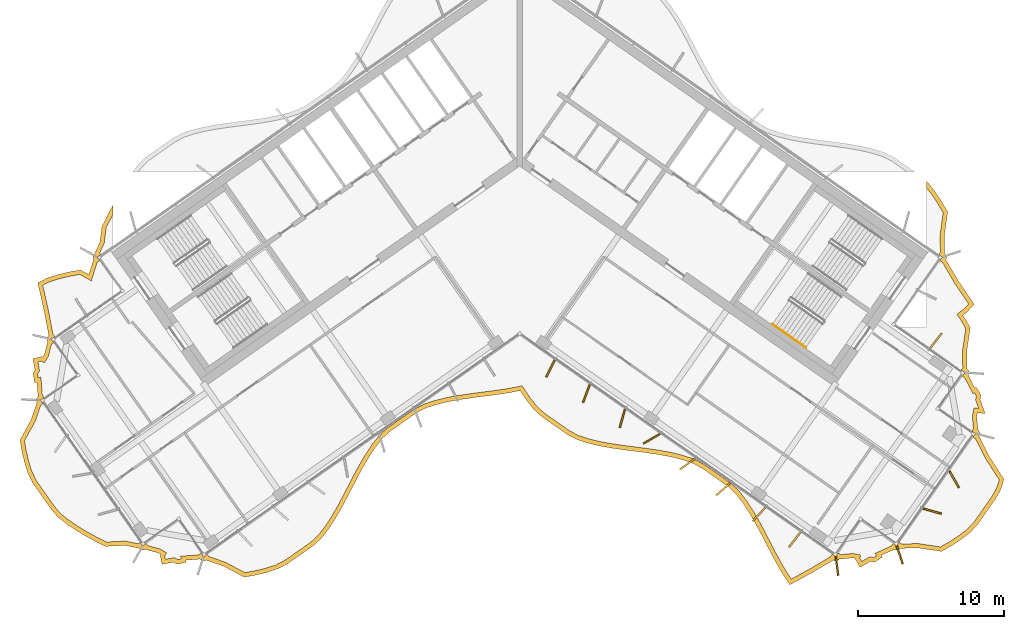
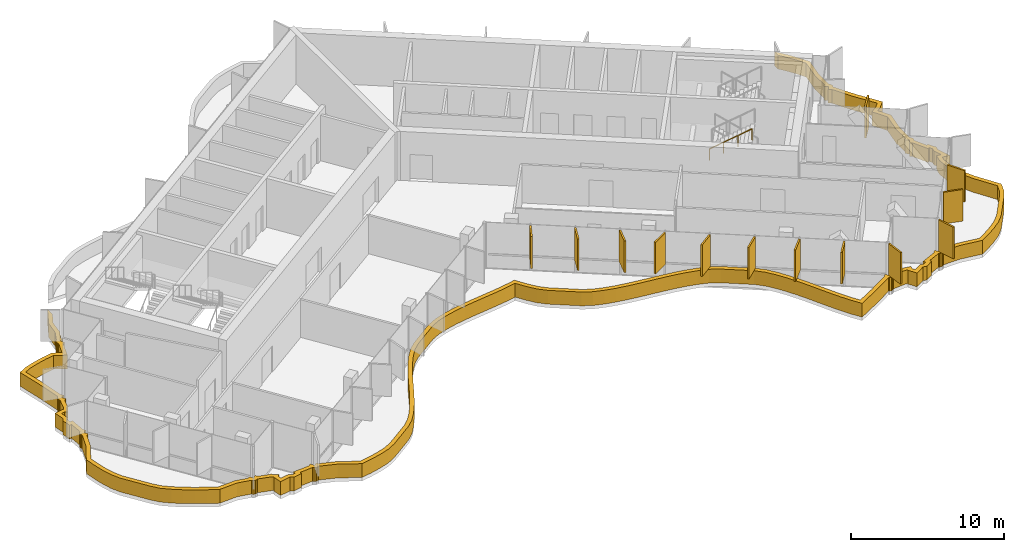
# One storey, part 16 of 18: 14 shading devices, 1 railing.
"""IFC4 building model written with IfcOpenShell, lengths in metres."""

import ifcopenshell
import ifcopenshell.guid

model = None  # the IFC model being written
_history = None  # IfcOwnerHistory: only IFC2X3 demands one
_inside = {}  # id of a spatial element -> (the spatial element, [elements in it])
_under = {}  # id of a project, library or spatial element -> (it, [spatial elements below it])
_declared = {}  # id of a project -> (the project, [libraries it declares])
_typed = {}  # id of a type object -> (the type object, [elements of that type])
_made_of = {}  # id of a material, layer set ... -> (it, [elements and type objects made of it])


def new_model(schema):
    """Start an empty IFC model of exactly this schema.

    Asked for "IFC4X3", IfcOpenShell would pick the latest addendum, in which some entities
    have other attributes; the version numbers below select the first issue.
    IFC2X3 requires an IfcOwnerHistory on every rooted entity: one is made here for all.
    """
    global model, _history
    if schema == "IFC4X3":
        model = ifcopenshell.file(schema_version=(4, 3, 0, 0))
    else:
        model = ifcopenshell.file(schema=schema)
    _inside.clear()
    _under.clear()
    _declared.clear()
    _typed.clear()
    _made_of.clear()
    _history = None
    if model.schema == "IFC2X3":
        org = make("IfcOrganization", Name="unknown")
        user = make(
            "IfcPersonAndOrganization",
            ThePerson=make("IfcPerson", FamilyName="unknown"),
            TheOrganization=org,
        )
        app = make(
            "IfcApplication",
            ApplicationDeveloper=org,
            Version="unknown",
            ApplicationFullName="unknown",
            ApplicationIdentifier="unknown",
        )
        _history = make(
            "IfcOwnerHistory",
            OwningUser=user,
            OwningApplication=app,
            ChangeAction="ADDED",
            CreationDate=0,
        )
    return model


def make(cls, **values):
    """One entity of the class cls with the attributes given. An attribute that is None is left unset."""
    return model.create_entity(
        cls, **{name: value for name, value in values.items() if value is not None}
    )


def rooted(cls, **values):
    """An entity with a GlobalId (a new one), such as an element, a storey or a relation."""
    return make(cls, GlobalId=ifcopenshell.guid.new(), OwnerHistory=_history, **values)


def si_unit(unit_type, name, prefix=None):
    """IfcSIUnit, for example si_unit("LENGTHUNIT", "METRE", prefix="MILLI")."""
    return make("IfcSIUnit", UnitType=unit_type, Prefix=prefix, Name=name)


def assignment(units):
    """IfcUnitAssignment: the units of a project."""
    return None if units is None else make("IfcUnitAssignment", Units=units)


def point(xyz):
    """IfcCartesianPoint."""
    return None if xyz is None else make("IfcCartesianPoint", Coordinates=xyz)


def direction(xyz):
    """IfcDirection."""
    return None if xyz is None else make("IfcDirection", DirectionRatios=xyz)


def frame(location, z_axis=None, x_axis=None):
    """IfcAxis2Placement3D, a coordinate frame: its origin and axes. An axis left out is left unset."""
    return make(
        "IfcAxis2Placement3D",
        Location=point(location),
        Axis=direction(z_axis),
        RefDirection=direction(x_axis),
    )


def frame_2d(location, x_axis=None):
    """IfcAxis2Placement2D, a coordinate frame in the plane: its origin and x axis."""
    return make(
        "IfcAxis2Placement2D", Location=point(location), RefDirection=direction(x_axis)
    )


def origin():
    """The frame at (0, 0, 0) with its axes left unset."""
    return frame((0.0, 0.0, 0.0))


def origin_2d():
    """The frame at (0, 0) in the plane with its x axis left unset."""
    return frame_2d((0.0, 0.0))


def place(relative_to, where):
    """IfcLocalPlacement: puts the frame where relative to a parent placement (None: the world)."""
    return make(
        "IfcLocalPlacement", PlacementRelTo=relative_to, RelativePlacement=where
    )


def context(
    kind, dimensions, precision=None, world=None, true_north=None, identifier=None
):
    """IfcGeometricRepresentationContext, for example the 3D "Model" context."""
    return make(
        "IfcGeometricRepresentationContext",
        ContextIdentifier=identifier,
        ContextType=kind,
        CoordinateSpaceDimension=dimensions,
        Precision=precision,
        WorldCoordinateSystem=world,
        TrueNorth=true_north,
    )


def subcontext(parent, identifier, kind, view, scale=None):
    """IfcGeometricRepresentationSubContext, for example "Body" below "Model"."""
    return make(
        "IfcGeometricRepresentationSubContext",
        ContextIdentifier=identifier,
        ContextType=kind,
        ParentContext=parent,
        TargetScale=scale,
        TargetView=view,
    )


def project(units=None, contexts=None):
    """IfcProject with its units and contexts."""
    return rooted(
        "IfcProject",
        Name="project",
        RepresentationContexts=contexts,
        UnitsInContext=assignment(units),
    )


def spatial(cls, under=None, at=None, **own):
    """A site, building, storey or space (cls), placed at a placement, below another one or the project."""
    s = rooted(cls, ObjectPlacement=at, **own)
    if under is not None:
        _under.setdefault(under.id(), (under, []))[1].append(s)
    return s


def polyline(points):
    """IfcPolyline through the points."""
    return make("IfcPolyline", Points=[point(p) for p in points])


def profile(cls, at=None, kind="AREA", **sizes):
    """A parametric profile (cls). Its sizes go by their IFC names, for example OverallWidth=200.0."""
    return make(cls, ProfileType=kind, Position=at, **sizes)


def rectangle(**sizes):
    """IfcRectangleProfileDef."""
    return profile("IfcRectangleProfileDef", **sizes)


def circle(**sizes):
    """IfcCircleProfileDef."""
    return profile("IfcCircleProfileDef", **sizes)


def outline(outer, holes=None, kind="AREA"):
    """IfcArbitraryClosedProfileDef: a profile drawn as a closed curve; with holes, ...WithVoids."""
    if holes is None:
        return make("IfcArbitraryClosedProfileDef", ProfileType=kind, OuterCurve=outer)
    return make(
        "IfcArbitraryProfileDefWithVoids",
        ProfileType=kind,
        OuterCurve=outer,
        InnerCurves=holes,
    )


def extrude(swept, where, along, depth):
    """IfcExtrudedAreaSolid: the profile swept, set in the frame where, extruded along a direction by depth."""
    return make(
        "IfcExtrudedAreaSolid",
        SweptArea=swept,
        Position=where,
        ExtrudedDirection=direction(along),
        Depth=depth,
    )


def shape(context_of_items, identifier, shape_type, items):
    """IfcShapeRepresentation: the items that make up one representation, for example the "Body"."""
    return make(
        "IfcShapeRepresentation",
        ContextOfItems=context_of_items,
        RepresentationIdentifier=identifier,
        RepresentationType=shape_type,
        Items=items,
    )


def material(Name=None, Category=None):
    """IfcMaterial."""
    return make("IfcMaterial", Name=Name, Category=Category)


def layer(
    of_material, thickness, ventilated=None, Name=None, Category=None, Priority=None
):
    """IfcMaterialLayer: one layer of a wall or slab, of a material (None: an air gap)."""
    return make(
        "IfcMaterialLayer",
        Material=of_material,
        LayerThickness=thickness,
        IsVentilated=ventilated,
        Name=Name,
        Category=Category,
        Priority=Priority,
    )


def layer_set(layers, Name=None):
    """IfcMaterialLayerSet."""
    return make("IfcMaterialLayerSet", MaterialLayers=layers, LayerSetName=Name)


def made_of(thing, what):
    """Note that an element or type object is made of a material, layer set ...; save() writes the relation."""
    if what is not None:
        _made_of.setdefault(what.id(), (what, []))[1].append(thing)
    return thing


def type_object(cls, material=None, **own):
    """A type object (cls), such as IfcWallType, which elements share."""
    return made_of(rooted(cls, **own), material)


def element(
    cls,
    number,
    at=None,
    inside=None,
    cuts=None,
    type_object=None,
    material=None,
    context=None,
    identifier="Body",
    shape_type=None,
    held_by="IfcProductDefinitionShape",
    body=None,
    shapes=None,
    **own,
):
    """One element of the class cls, such as IfcWall. Its Tag is "e" and its number.

    at: its placement. inside: the storey or other place that contains it. cuts: it is an
    opening in that element (IfcRelVoidsElement). A single representation is given by context,
    identifier, shape_type and body (its items); several are given by shapes. held_by: the class
    of the entity that holds the representations. save() writes the other relations.
    """
    e = rooted(cls, Tag="e%d" % number, ObjectPlacement=at, **own)
    if body is not None:
        shapes = [shape(context, identifier, shape_type, body)]
    if shapes is not None:
        e.Representation = make(held_by, Representations=shapes)
    if inside is not None:
        _inside.setdefault(inside.id(), (inside, []))[1].append(e)
    if cuts is not None:
        rooted(
            "IfcRelVoidsElement", RelatingBuildingElement=cuts, RelatedOpeningElement=e
        )
    if type_object is not None:
        _typed.setdefault(type_object.id(), (type_object, []))[1].append(e)
    return made_of(e, material)


def aggregate(whole, parts):
    """IfcRelAggregates: a whole, such as a stair, and the parts it consists of."""
    return rooted("IfcRelAggregates", RelatingObject=whole, RelatedObjects=parts)


def save(model, path):
    """Write the relations noted so far, then the file.

    IfcRelAggregates (storeys below a building ...), IfcRelContainedInSpatialStructure (elements
    in a storey), IfcRelDefinesByType, IfcRelAssociatesMaterial and IfcRelDeclares: one each for
    every whole, place, type object, material and project.
    """
    for whole, parts in _under.values():
        aggregate(whole, parts)
    for where, things in _inside.values():
        rooted(
            "IfcRelContainedInSpatialStructure",
            RelatedElements=things,
            RelatingStructure=where,
        )
    for kind, things in _typed.values():
        rooted("IfcRelDefinesByType", RelatedObjects=things, RelatingType=kind)
    for what, things in _made_of.values():
        rooted("IfcRelAssociatesMaterial", RelatedObjects=things, RelatingMaterial=what)
    for by, libraries in _declared.values():
        rooted("IfcRelDeclares", RelatingContext=by, RelatedDefinitions=libraries)
    model.write(path)


model = new_model("IFC4")

# Units and contexts
model_context = context("Model", 3, precision=1e-05, world=origin(), true_north=direction((0.0, 1.0)))
body_context = subcontext(model_context, "Body", "Model", "MODEL_VIEW")
ifc_project = project(units=[si_unit("LENGTHUNIT", "METRE"), si_unit("AREAUNIT", "SQUARE_METRE"), si_unit("VOLUMEUNIT", "CUBIC_METRE"), si_unit("PLANEANGLEUNIT", "RADIAN"), si_unit("MASSUNIT", "GRAM", prefix="KILO")], contexts=[model_context])

# Site, building, storey
site_placement = place(None, origin())
site = spatial("IfcSite", under=ifc_project, at=site_placement, CompositionType="ELEMENT")
building_placement = place(site_placement, origin())
building = spatial("IfcBuilding", under=site, at=building_placement, Name="Tel Ilan Convention Tower", CompositionType="ELEMENT")
storey_placement = place(building_placement, frame((0.0, 0.0, 268.300048828125)))
storey = spatial("IfcBuildingStorey", under=building, at=storey_placement, Name="L63", CompositionType="ELEMENT", Elevation=268.300048828125)

# Shading devices
ifc_material_1 = material(Name="Aluminium, bronze anodised", Category="aluminium")
ifc_layer_1 = layer(ifc_material_1, 0.1201171875)
ifc_layer_set_1 = layer_set([ifc_layer_1], Name="FIN BRONZE 1300x120")
shading_device_type_1 = type_object("IfcShadingDeviceType", Name="FIN BRONZE 1300x120", PredefinedType="USERDEFINED", material=ifc_layer_set_1)
for number, where, z_axis, x_axis, name in (
    (1, (2.11083984375, -15.09130859375, 1.099853515625), (0.0, 0.0, 1.0), (-0.448799180206, -0.893632640321, 0.0), "FIN"),
    (2, (4.572265625, -16.806884765625, 1.099853515625), (0.0, 0.0, 1.0), (-0.360177724803, -0.932883704733, 0.0), "FIN"),
    (3, (7.0361328125, -18.516845703125, 1.099853515625), (0.0, 0.0, 1.0), (-0.268172612768, -0.963370878614, 0.0), "FIN"),
    (4, (9.051513671875, -19.90576171875, 1.099853515625), (0.0, 0.0, 1.0), (-0.866025403784, -0.5, 0.0), "FIN"),
    (5, (11.49609375, -21.6396484375, 1.099853515625), (0.0, 0.0, 1.0), (-0.813552070258, -0.581492071294, 0.0), "FIN"),
    (6, (13.945556640625, -23.3701171875, 1.099853515625), (0.0, 0.0, 1.0), (-0.753435896329, -0.657521368568, 0.0), "FIN"),
    (7, (16.399658203125, -25.096435546875, 1.099853515625), (0.0, 0.0, 1.0), (-0.686241637865, -0.727373641577, 0.0), "FIN"),
    (8, (18.85791015625, -26.818115234375, 1.099853515625), (0.0, 0.0, 1.0), (-0.612600545196, -0.790392669516, 0.0), "FIN"),
    (9, (21.746826171875, -28.63525390625, 1.099853515625), (0.0, 0.0, 1.0), (0.125718016748, -0.992066016082, 0.0), "FIN"),
    (10, (26.048828125, -27.876220703125, 1.099853515625), (0.0, 0.0, 1.0), (0.314544756146, -0.949242643575, 0.0), "FIN"),
    (11, (28.2822265625, -24.8701171875, 1.099853515625), (0.0, 0.0, 1.0), (0.963370878614, -0.268172612768, 0.0), "FIN"),
    (12, (29.78271484375, -22.695068359375, 1.099853515625), (0.0, 0.0, 1.0), (0.5, -0.866025403784, 0.0), "FIN"),
    (13, (28.52197265625, -13.19384765625, 1.099853515625), (0.0, 0.0, 1.0), (0.612600545196, 0.790392669516, 0.0), "FIN"),
):
    element("IfcShadingDevice", number, at=place(storey_placement, frame(where, z_axis=z_axis, x_axis=x_axis)), inside=storey, type_object=shading_device_type_1, Name=name, ObjectType="FIN", PredefinedType="USERDEFINED", context=body_context, shape_type="SweptSolid", body=[
        extrude(rectangle(XDim=1.300048828125, YDim=0.1201171875, at=origin_2d()), origin(), (0.0, 0.0, 1.0), 2.52001953125),
    ])
ifc_material_2 = material(Name="Aluminium, bronze anodised", Category="aluminium")
ifc_layer_2 = layer(ifc_material_2, 0.300048828125)
ifc_layer_set_2 = layer_set([ifc_layer_2], Name="LOUVRE BAND 300x1100")
shading_device_type_2 = type_object("IfcShadingDeviceType", Name="LOUVRE BAND 300x1100", PredefinedType="USERDEFINED", material=ifc_layer_set_2)
shading_device_placement = place(storey_placement, origin())
element("IfcShadingDevice", 14, at=shading_device_placement, inside=storey, type_object=shading_device_type_2, Name="LOUVRE BAND 48.01", ObjectType="LOUVRE", PredefinedType="USERDEFINED", context=body_context, shape_type="SweptSolid", body=[
    extrude(outline(polyline([(-33.47021484375, -18.574462890625), (-34.248779296875, -19.995849609375), (-34.1181640625, -20.780517578125), (-33.940185546875, -21.531982421875), (-33.7158203125, -22.2509765625), (-33.401611328125, -22.906982421875), (-32.166748046875, -24.670654296875), (-31.707763671875, -25.22509765625), (-31.125732421875, -25.69384765625), (-30.49462890625, -26.1279296875), (-29.82373046875, -26.5341796875), (-29.12353515625, -26.920166015625), (-28.398193359375, -27.288330078125), (-27.05419921875, -27.223388671875), (-26.083984375, -27.420166015625), (-26.05517578125, -27.46337890625), (-25.957763671875, -27.5283203125), (-25.843017578125, -27.55126953125), (-25.728271484375, -27.5283203125), (-25.674072265625, -27.492431640625), (-24.7724609375, -27.73388671875), (-24.61669921875, -27.828857421875), (-24.64697265625, -27.878662109375), (-24.51416015625, -28.518310546875), (-23.728759765625, -28.3701171875), (-23.49462890625, -28.5126953125), (-22.855224609375, -28.3798828125), (-22.8828125, -28.233154296875), (-21.90576171875, -28.15673828125), (-21.876953125, -28.2001953125), (-21.779541015625, -28.26513671875), (-21.664794921875, -28.2880859375), (-21.550048828125, -28.26513671875), (-21.49609375, -28.22900390625), (-20.311279296875, -28.64013671875), (-18.883544921875, -29.3984375), (-18.087646484375, -29.25439453125), (-17.32080078125, -29.068359375), (-16.588623046875, -28.833251953125), (-15.931640625, -28.490478515625), (-14.12646484375, -27.226318359375), (-13.582763671875, -26.721923828125), (-13.1123046875, -26.113037109375), (-12.67626953125, -25.454833984375), (-12.267333984375, -24.7578125), (-11.877197265625, -24.0341796875), (-11.11572265625, -22.56005859375), (-10.724853515625, -21.83740234375), (-10.314697265625, -21.142333984375), (-9.877197265625, -20.486572265625), (-9.404541015625, -19.88037109375), (-8.85498046875, -19.384765625), (-7.049560546875, -18.12060546875), (-6.386474609375, -17.78662109375), (-5.65234375, -17.55419921875), (-4.884033203125, -17.370849609375), (-4.088623046875, -17.225830078125), (-3.274658203125, -17.107421875), (-1.629150390625, -16.895751953125), (-0.816650390625, -16.775146484375), (0.033203125, -16.6123046875), (0.470458984375, -17.269775390625), (0.94189453125, -17.877197265625), (1.488525390625, -18.377197265625), (3.2939453125, -19.641357421875), (3.953857421875, -19.979736328125), (4.68701171875, -20.213623046875), (5.45458984375, -20.398193359375), (6.24951171875, -20.5439453125), (7.06298828125, -20.6630859375), (8.70849609375, -20.87451171875), (9.521240234375, -20.99462890625), (10.314697265625, -21.142333984375), (11.080810546875, -21.329345703125), (11.811767578125, -21.56591796875), (12.4658203125, -21.912841796875), (14.27099609375, -23.177001953125), (14.811767578125, -23.685791015625), (15.28125, -24.29638671875), (15.71630859375, -24.95556640625), (16.12451171875, -25.653564453125), (16.51416015625, -26.3779296875), (17.27587890625, -27.851806640625), (17.6669921875, -28.573974609375), (18.077880859375, -29.26806640625), (18.5185546875, -29.91943359375), (19.969482421875, -29.128173828125), (21.49609375, -28.22900390625), (21.550048828125, -28.26513671875), (21.664794921875, -28.2880859375), (21.779541015625, -28.26513671875), (21.876953125, -28.2001953125), (21.90576171875, -28.15673828125), (22.8359375, -28.075439453125), (23.0146484375, -28.111328125), (23.003173828125, -28.168701171875), (23.3466796875, -28.72412109375), (24.0341796875, -28.316162109375), (24.302734375, -28.370361328125), (24.8583984375, -28.02685546875), (24.7822265625, -27.8984375), (25.674072265625, -27.492431640625), (25.728271484375, -27.5283203125), (25.843017578125, -27.55126953125), (25.957763671875, -27.5283203125), (26.05517578125, -27.46337890625), (26.083984375, -27.420166015625), (27.309326171875, -27.395263671875), (28.911376953125, -27.634521484375), (29.60546875, -27.237548828125), (30.25439453125, -26.809326171875), (30.856201171875, -26.347900390625), (31.3623046875, -25.819580078125), (32.6064453125, -24.042724609375), (32.962646484375, -23.409423828125), (33.192138671875, -22.687255859375), (32.166015625, -21.086181640625), (31.4755859375, -19.719970703125), (31.51171875, -19.666015625), (31.53466796875, -19.55126953125), (31.51171875, -19.4365234375), (31.44677734375, -19.339111328125), (31.4033203125, -19.31005859375), (31.322021484375, -18.380126953125), (31.373779296875, -18.12255859375), (31.9052734375, -18.189697265625), (31.555419921875, -17.218994140625), (31.616943359375, -16.9130859375), (31.2734375, -16.357666015625), (31.182861328125, -16.411376953125), (30.739013671875, -15.541748046875), (30.775146484375, -15.48779296875), (30.7978515625, -15.373046875), (30.775146484375, -15.25830078125), (30.7099609375, -15.160888671875), (30.666748046875, -15.1318359375), (30.642822265625, -13.902099609375), (30.879638671875, -12.2998046875), (30.48095703125, -11.605224609375), (30.3720703125, -11.4404296875), (30.66748046875, -11.218994140625), (31.151123046875, -10.703125), (30.056640625, -9.082275390625), (29.199951171875, -7.6279296875), (29.236083984375, -7.57373046875), (29.2587890625, -7.458984375), (29.236083984375, -7.34423828125), (29.1708984375, -7.246826171875), (29.127685546875, -7.218017578125), (29.10986328125, -5.95947265625), (29.331298828125, -4.35888671875), (28.922119140625, -3.659423828125), (28.48388671875, -3.001220703125), (28.0107421875, -2.392822265625), (27.874755859375, -2.269287109375), (27.874755859375, -2.70654296875), (28.240234375, -3.176513671875), (28.66748046875, -3.818359375), (29.02001953125, -4.420654296875), (28.809326171875, -5.941162109375), (28.829345703125, -7.12109375), (28.713134765625, -7.286865234375), (28.958740234375, -7.458984375), (28.787353515625, -7.705322265625), (28.97900390625, -7.83935546875), (29.802734375, -9.2421875), (30.7685546875, -10.672607421875), (30.466552734375, -10.99462890625), (29.9658203125, -11.369873046875), (30.225341796875, -11.7626953125), (30.567626953125, -12.35888671875), (30.34228515625, -13.88330078125), (30.367919921875, -15.03564453125), (30.252197265625, -15.200927734375), (30.497802734375, -15.373046875), (30.326416015625, -15.619140625), (30.510009765625, -15.747802734375), (31.060302734375, -16.832763671875), (31.173095703125, -16.765869140625), (31.29931640625, -16.97021484375), (31.244873046875, -17.241943359375), (31.45703125, -17.830810546875), (31.134765625, -17.7900390625), (31.019287109375, -18.364013671875), (31.097900390625, -19.223388671875), (30.98876953125, -19.379150390625), (31.234619140625, -19.55126953125), (31.063232421875, -19.79736328125), (31.246337890625, -19.92578125), (31.905029296875, -21.23486328125), (32.863525390625, -22.730712890625), (32.68603515625, -23.289306640625), (32.352294921875, -23.8828125), (31.129638671875, -25.628662109375), (30.6552734375, -26.123779296875), (30.080322265625, -26.56494140625), (29.4482421875, -26.98193359375), (28.852783203125, -27.322265625), (27.328125, -27.0947265625), (26.18017578125, -27.12109375), (26.01513671875, -27.005615234375), (25.843017578125, -27.251220703125), (25.5966796875, -27.079833984375), (25.472412109375, -27.257568359375), (24.35302734375, -27.762939453125), (24.4501953125, -27.926513671875), (24.245849609375, -28.052734375), (23.980224609375, -27.99951171875), (23.447021484375, -28.31591796875), (23.32080078125, -28.111572265625), (23.367919921875, -27.87646484375), (22.85205078125, -27.772705078125), (21.99267578125, -27.851318359375), (21.8369140625, -27.7421875), (21.664794921875, -27.988037109375), (21.418701171875, -27.816650390625), (21.284423828125, -28.008056640625), (19.82177734375, -28.866943359375), (18.6142578125, -29.525634765625), (18.331298828125, -29.107666015625), (17.92822265625, -28.426025390625), (17.541015625, -27.71142578125), (16.779541015625, -26.238037109375), (16.38623046875, -25.506591796875), (15.97119140625, -24.797119140625), (15.525634765625, -24.1220703125), (15.034912109375, -23.48388671875), (14.4609375, -22.94384765625), (12.62255859375, -21.656494140625), (11.92919921875, -21.288818359375), (11.16259765625, -21.04052734375), (10.3779296875, -20.848876953125), (9.570556640625, -20.69873046875), (8.749755859375, -20.577392578125), (7.103759765625, -20.36572265625), (6.29833984375, -20.248046875), (5.516845703125, -20.1044921875), (4.767822265625, -19.924560546875), (4.068603515625, -19.701416015625), (3.44921875, -19.3837890625), (1.6767578125, -18.142822265625), (1.163330078125, -17.673095703125), (0.714111328125, -17.094482421875), (0.165771484375, -16.269775390625), (-0.087890625, -16.33349609375), (-0.866455078125, -16.479248046875), (-1.67041015625, -16.5986328125), (-3.315185546875, -16.81005859375), (-4.136962890625, -16.9296875), (-4.945556640625, -17.0771484375), (-5.732666015625, -17.264892578125), (-6.5, -17.5078125), (-7.203857421875, -17.8623046875), (-9.042236328125, -19.1494140625), (-9.625, -19.67529296875), (-10.12060546875, -20.310791015625), (-10.56884765625, -20.982666015625), (-10.986083984375, -21.68994140625), (-11.380859375, -22.419677734375), (-12.142578125, -23.89404296875), (-12.529052734375, -24.61083984375), (-12.930908203125, -25.2958984375), (-13.356201171875, -25.938232421875), (-13.804931640625, -26.518798828125), (-14.315185546875, -26.992431640625), (-16.087890625, -28.233642578125), (-16.704833984375, -28.555419921875), (-17.402099609375, -28.779541015625), (-18.149658203125, -28.960693359375), (-18.83447265625, -29.084716796875), (-20.19140625, -28.3642578125), (-21.302978515625, -27.981689453125), (-21.418701171875, -27.816650390625), (-21.664794921875, -27.988037109375), (-21.8369140625, -27.7421875), (-22.01513671875, -27.8671875), (-23.239990234375, -27.959228515625), (-23.20458984375, -28.14599609375), (-23.439697265625, -28.19482421875), (-23.671142578125, -28.053955078125), (-24.2802734375, -28.1689453125), (-24.3291015625, -27.933837890625), (-24.204345703125, -27.72900390625), (-24.65380859375, -27.455078125), (-25.48828125, -27.23486328125), (-25.5966796875, -27.079833984375), (-25.843017578125, -27.251220703125), (-26.01513671875, -27.005615234375), (-26.15478515625, -27.103271484375), (-27.03076171875, -26.921875), (-28.333251953125, -26.98486328125), (-28.983154296875, -26.65478515625), (-29.673583984375, -26.2744140625), (-30.331787109375, -25.8759765625), (-30.946533203125, -25.453125), (-31.495849609375, -25.010498046875), (-31.927978515625, -24.488525390625), (-33.141845703125, -22.755126953125), (-33.43603515625, -22.140869140625), (-33.650634765625, -21.45263671875), (-33.823974609375, -20.72119140625), (-33.935791015625, -20.048828125), (-33.1943359375, -18.6953125), (-32.833251953125, -17.61865234375), (-32.669189453125, -17.50390625), (-32.840576171875, -17.257568359375), (-32.594970703125, -17.08544921875), (-32.7197265625, -16.9072265625), (-32.811767578125, -15.6826171875), (-32.998779296875, -15.7177734375), (-33.047607421875, -15.482666015625), (-32.906494140625, -15.251220703125), (-33.021484375, -14.64208984375), (-32.786376953125, -14.59326171875), (-32.58154296875, -14.718017578125), (-32.3076171875, -14.268798828125), (-32.087646484375, -13.434326171875), (-31.932373046875, -13.32568359375), (-32.103759765625, -13.079345703125), (-31.858154296875, -12.9072265625), (-31.993408203125, -12.714111328125), (-32.314697265625, -11.033447265625), (-32.68798828125, -9.385986328125), (-32.26708984375, -9.168701171875), (-31.5771484375, -8.950439453125), (-30.838623046875, -8.77392578125), (-30.161376953125, -8.65625), (-29.363525390625, -9.087646484375), (-28.950439453125, -7.8193359375), (-28.787353515625, -7.705322265625), (-28.958740234375, -7.458984375), (-28.713134765625, -7.286865234375), (-28.785888671875, -7.182861328125), (-28.480224609375, -6.525634765625), (-28.343994140625, -5.44384765625), (-27.874755859375, -4.536376953125), (-27.874755859375, -3.881103515625), (-28.635009765625, -5.353271484375), (-28.772216796875, -6.441650390625), (-29.127685546875, -7.218017578125), (-29.1708984375, -7.246826171875), (-29.236083984375, -7.34423828125), (-29.2587890625, -7.458984375), (-29.236083984375, -7.57373046875), (-29.199951171875, -7.6279296875), (-29.537353515625, -8.652587890625), (-30.110107421875, -8.3427734375), (-30.899169921875, -8.47998046875), (-31.6572265625, -8.661376953125), (-32.3818359375, -8.890380859375), (-33.031982421875, -9.225830078125), (-32.6083984375, -11.094970703125), (-32.272705078125, -12.83837890625), (-32.31591796875, -12.8671875), (-32.381103515625, -12.964599609375), (-32.40380859375, -13.079345703125), (-32.381103515625, -13.1943359375), (-32.344970703125, -13.248291015625), (-32.586669921875, -14.14990234375), (-32.681640625, -14.3056640625), (-32.7314453125, -14.275390625), (-33.370849609375, -14.408203125), (-33.22265625, -15.193603515625), (-33.365478515625, -15.427734375), (-33.232666015625, -16.067138671875), (-33.0859375, -16.03955078125), (-33.009521484375, -17.0166015625), (-33.052734375, -17.04541015625), (-33.11767578125, -17.142822265625), (-33.140625, -17.257568359375), (-33.11767578125, -17.372314453125), (-33.081787109375, -17.426513671875), (-33.47021484375, -18.574462890625)])), origin(), (0.0, 0.0, 1.0), 1.099853515625),
])

# Railing
ifc_material_3 = material(Name="Stainless Steel Grade 316", Category="steel")
railing_type = type_object("IfcRailingType", Name="Stainless Steel Stair Handrail 900 mm", PredefinedType="HANDRAIL", material=ifc_material_3)
railing_placement = place(storey_placement, frame((17.312744140625, -12.0615234375, 2.127197265625)))
element("IfcRailing", 15, at=railing_placement, inside=storey, type_object=railing_type, Name="L63 S4 stair handrail 2", PredefinedType="HANDRAIL", context=body_context, shape_type="SweptSolid", body=[
    extrude(circle(Radius=0.02392578125, at=origin_2d()), frame((0.0, 0.0, 0.8759765625), z_axis=(0.692123088272, -0.484596665743, 0.534912798717), x_axis=(0.573550118428, 0.819170471667, 0.0)), (0.0, 0.0, 1.0), 3.31396484375),
    extrude(circle(Radius=0.02099609375, at=origin_2d()), origin(), (0.0, 0.0, 1.0), 0.851806640625),
    extrude(circle(Radius=0.02099609375, at=origin_2d()), frame((0.7646484375, -0.535400390625, 0.5908203125)), (0.0, 0.0, 1.0), 0.851806640625),
    extrude(circle(Radius=0.02099609375, at=origin_2d()), frame((1.529052734375, -1.070556640625, 1.181884765625)), (0.0, 0.0, 1.0), 0.851806640625),
    extrude(circle(Radius=0.02099609375, at=origin_2d()), frame((2.293701171875, -1.60595703125, 1.772705078125)), (0.0, 0.0, 1.0), 0.851806640625),
])

save(model, "model.ifc")
